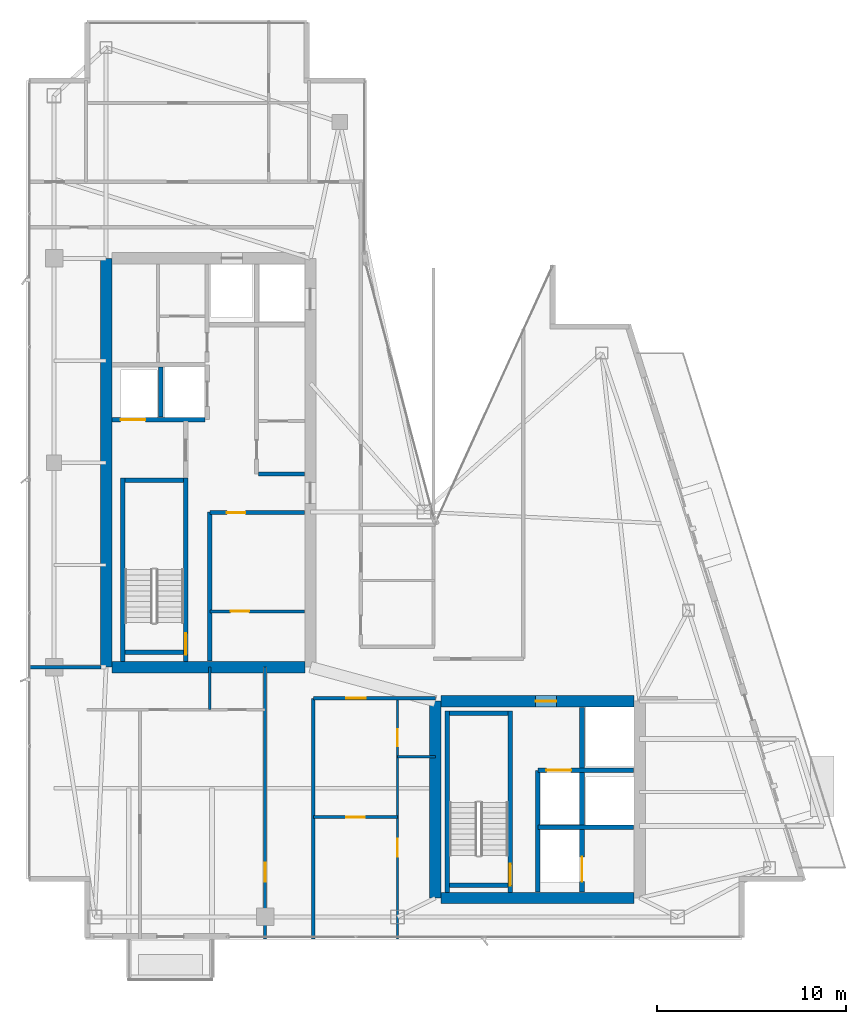
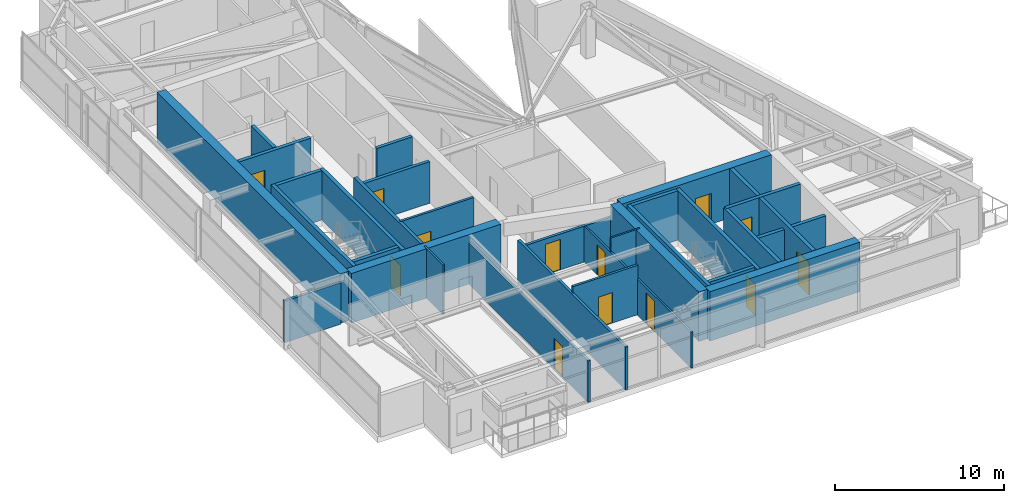
# One storey, part 22 of 27: 31 walls, 13 doors, 13 openings.
"""IFC4 building model written with IfcOpenShell, lengths in metres."""

from ifc_helpers import new_model, si_unit, direction, frame, frame_2d, origin, place, context, subcontext, project, spatial, rectangle, extrude, material, layer, layer_set, type_object, element, fill, save


model = new_model("IFC4")

# Units and contexts
model_context = context("Model", 3, precision=1e-05, world=origin(), true_north=direction((0.0, 1.0)))
body_context = subcontext(model_context, "Body", "Model", "MODEL_VIEW")
ifc_project = project(units=[si_unit("LENGTHUNIT", "METRE"), si_unit("AREAUNIT", "SQUARE_METRE"), si_unit("VOLUMEUNIT", "CUBIC_METRE"), si_unit("PLANEANGLEUNIT", "RADIAN"), si_unit("MASSUNIT", "GRAM", prefix="KILO")], contexts=[model_context])

# Site, building, storey
site_placement = place(None, origin())
site = spatial("IfcSite", under=ifc_project, at=site_placement, CompositionType="ELEMENT")
building_placement = place(site_placement, origin())
building = spatial("IfcBuilding", under=site, at=building_placement, Name="Calvorn Quay Hotel", CompositionType="ELEMENT")
storey_placement = place(building_placement, frame((0.0, 0.0, 287.300048828125)))
storey = spatial("IfcBuildingStorey", under=building, at=storey_placement, Name="L71", CompositionType="ELEMENT", Elevation=287.300048828125)

# Walls
ifc_material_1 = material(Name="Concrete C45", Category="concrete")
ifc_layer_1 = layer(ifc_material_1, 0.60009765625)
ifc_layer_set_1 = layer_set([ifc_layer_1], Name="WL-CORE-600")
wall_type_1 = type_object("IfcWallType", Name="WL-CORE-600", PredefinedType="SHEAR", material=ifc_layer_set_1)
wall_1_placement = place(storey_placement, frame((4.199951171875, 16.800048828125, 0.0), z_axis=(0.0, 0.0, 1.0), x_axis=(0.0, 1.0, 0.0)))
element("IfcWall", 1, at=wall_1_placement, inside=storey, type_object=wall_type_1, Name="West Core Shear Wall W (L71)", PredefinedType="SHEAR", context=body_context, shape_type="SweptSolid", body=[
    extrude(rectangle(XDim=21.599853515625, YDim=0.60009765625, at=frame_2d((10.7998046875, 0.0))), origin(), (0.0, 0.0, 1.0), 3.56005859375),
])
wall_2_placement = place(storey_placement, frame((4.5, 16.800048828125, 0.0), z_axis=(0.0, 0.0, 1.0), x_axis=(1.0, 0.0, 0.0)))
element("IfcWall", 2, at=wall_2_placement, inside=storey, type_object=wall_type_1, Name="West Core Shear Wall S (L71)", PredefinedType="SHEAR", context=body_context, shape_type="SweptSolid", body=[
    extrude(rectangle(XDim=10.199951171875, YDim=0.60009765625, at=frame_2d((5.10009765625, 0.0))), origin(), (0.0, 0.0, 1.0), 3.56005859375),
])
wall_3_placement = place(storey_placement, frame((21.60009765625, 4.60009765625, 0.0), z_axis=(0.0, 0.0, 1.0), x_axis=(0.0, 1.0, 0.0)))
element("IfcWall", 3, at=wall_3_placement, inside=storey, type_object=wall_type_1, Name="East Core Shear Wall W (L71)", PredefinedType="SHEAR", context=body_context, shape_type="SweptSolid", body=[
    extrude(rectangle(XDim=10.39990234375, YDim=0.60009765625, at=frame_2d((5.199951171875, 0.0))), origin(), (0.0, 0.0, 1.0), 3.56005859375),
])

# Wall, opening, door
wall_4_placement = place(storey_placement, frame((21.89990234375, 15.0, 0.0), z_axis=(0.0, 0.0, 1.0), x_axis=(1.0, 0.0, 0.0)))
wall_4 = element("IfcWall", 4, at=wall_4_placement, inside=storey, type_object=wall_type_1, Name="East Core Shear Wall N (L71)", PredefinedType="SHEAR", context=body_context, shape_type="SweptSolid", body=[
    extrude(rectangle(XDim=10.2001953125, YDim=0.60009765625, at=frame_2d((5.10009765625, 0.0))), origin(), (0.0, 0.0, 1.0), 3.56005859375),
])
opening_1_placement = place(wall_4_placement, frame((5.0, 0.0, 0.0)))
opening_1 = element("IfcOpeningElement", 5, at=opening_1_placement, cuts=wall_4, Name="Opening D-L71-FLE", PredefinedType="OPENING", context=body_context, shape_type="SweptSolid", body=[
    extrude(rectangle(XDim=1.10009765625, YDim=2.199951171875, at=frame_2d((0.550048828125, 1.10009765625))), frame((0.0, 0.31005859375, 0.0), z_axis=(0.0, -1.0, 0.0), x_axis=(1.0, 0.0, 0.0)), (0.0, 0.0, 1.0), 0.6201171875),
])
ifc_material_2 = material(Name="Smoke-Sealed Steel Class A Fire Door", Category="steel")
door_type_1 = type_object("IfcDoorType", Name="DR-FFLOBBY-1100", OperationType="NOTDEFINED", PredefinedType="DOOR", material=ifc_material_2)
door_1_placement = place(opening_1_placement, origin())
door_1 = element("IfcDoor", 6, at=door_1_placement, inside=storey, type_object=door_type_1, Name="East Firefighting Lobby Fire Door (L71)", OperationType="SINGLE_SWING_LEFT", OverallHeight=2.199951171875, OverallWidth=1.10009765625, PredefinedType="DOOR", context=body_context, shape_type="SweptSolid", body=[
    extrude(rectangle(XDim=1.10009765625, YDim=2.199951171875, at=frame_2d((0.550048828125, 1.10009765625))), frame((0.0, 0.02490234375, 0.0), z_axis=(0.0, -1.0, 0.0), x_axis=(1.0, 0.0, 0.0)), (0.0, 0.0, 1.0), 0.050048828125),
])
fill(opening_1, door_1)

# Walls
wall_5_placement = place(storey_placement, frame((21.89990234375, 4.60009765625, 0.0), z_axis=(0.0, 0.0, 1.0), x_axis=(1.0, 0.0, 0.0)))
element("IfcWall", 7, at=wall_5_placement, inside=storey, type_object=wall_type_1, Name="East Core Shear Wall S (L71)", PredefinedType="SHEAR", context=body_context, shape_type="SweptSolid", body=[
    extrude(rectangle(XDim=10.2001953125, YDim=0.60009765625, at=frame_2d((5.10009765625, 0.0))), origin(), (0.0, 0.0, 1.0), 3.56005859375),
])
ifc_material_3 = material(Name="Acoustic Fireboard Steel-Stud Partition", Category="steel")
ifc_layer_2 = layer(ifc_material_3, 0.179931640625)
ifc_layer_set_2 = layer_set([ifc_layer_2], Name="WL-CORR-FIRE-180")
wall_type_2 = type_object("IfcWallType", Name="WL-CORR-FIRE-180", PredefinedType="PARTITIONING", material=ifc_layer_set_2)
wall_6_placement = place(storey_placement, frame((0.080078125, 16.800048828125, 0.0), z_axis=(0.0, 0.0, 1.0), x_axis=(1.0, 0.0, 0.0)))
element("IfcWall", 8, at=wall_6_placement, inside=storey, type_object=wall_type_2, Name="Partition Wall L71-WL-WBAY-S-WALL", PredefinedType="PARTITIONING", context=body_context, shape_type="SweptSolid", body=[
    extrude(rectangle(XDim=3.849853515625, YDim=0.179931640625, at=frame_2d((1.9248046875, 0.0))), origin(), (0.0, 0.0, 1.0), 2.989990234375),
])

# Wall, opening, door
wall_7_placement = place(storey_placement, frame((12.60009765625, 2.43994140625, 0.0), z_axis=(0.0, 0.0, 1.0), x_axis=(0.0, 1.0, 0.0)))
wall_7 = element("IfcWall", 9, at=wall_7_placement, inside=storey, type_object=wall_type_2, Name="Partition Wall L71-WL-CORR-SW-LEG-W", PredefinedType="PARTITIONING", context=body_context, shape_type="SweptSolid", body=[
    extrude(rectangle(XDim=14.360107421875, YDim=0.179931640625, at=frame_2d((7.18017578125, 0.0))), origin(), (0.0, 0.0, 1.0), 2.989990234375),
])
opening_2_placement = place(wall_7_placement, frame((3.010009765625, 0.0, 0.0)))
opening_2 = element("IfcOpeningElement", 10, at=opening_2_placement, cuts=wall_7, Name="Opening D-L71-U01", PredefinedType="OPENING", context=body_context, shape_type="SweptSolid", body=[
    extrude(rectangle(XDim=1.02001953125, YDim=2.199951171875, at=frame_2d((0.510009765625, 1.10009765625))), frame((0.0, 0.099853515625, 0.0), z_axis=(0.0, -1.0, 0.0), x_axis=(1.0, 0.0, 0.0)), (0.0, 0.0, 1.0), 0.199951171875),
])
ifc_material_4 = material(Name="Solid-Core Walnut Veneer Hotel Fire Door")
door_type_2 = type_object("IfcDoorType", Name="DR-GUEST-ENTRY-1020", OperationType="NOTDEFINED", PredefinedType="DOOR", material=ifc_material_4)
door_2_placement = place(opening_2_placement, origin())
door_2 = element("IfcDoor", 11, at=door_2_placement, inside=storey, type_object=door_type_2, Name="South-West Unit Door U01 (L71)", OperationType="SINGLE_SWING_LEFT", OverallHeight=2.199951171875, OverallWidth=1.02001953125, PredefinedType="DOOR", context=body_context, shape_type="SweptSolid", body=[
    extrude(rectangle(XDim=1.02001953125, YDim=2.199951171875, at=frame_2d((0.510009765625, 1.10009765625))), frame((0.0, 0.02490234375, 0.0), z_axis=(0.0, -1.0, 0.0), x_axis=(1.0, 0.0, 0.0)), (0.0, 0.0, 1.0), 0.050048828125),
])
fill(opening_2, door_2)

# Wall
wall_8_placement = place(storey_placement, frame((15.14990234375, 2.43994140625, 0.0), z_axis=(0.0, 0.0, 1.0), x_axis=(0.0, 1.0, 0.0)))
element("IfcWall", 12, at=wall_8_placement, inside=storey, type_object=wall_type_2, Name="Partition Wall L71-WL-CORR-SW-W", PredefinedType="PARTITIONING", context=body_context, shape_type="SweptSolid", body=[
    extrude(rectangle(XDim=12.7099609375, YDim=0.179931640625, at=frame_2d((6.35498046875, 0.0))), origin(), (0.0, 0.0, 1.0), 3.08984375),
])

# Wall, opening, door
wall_9_placement = place(storey_placement, frame((15.14990234375, 15.14990234375, 0.0), z_axis=(0.0, 0.0, 1.0), x_axis=(1.0, 0.0, 0.0)))
wall_9 = element("IfcWall", 13, at=wall_9_placement, inside=storey, type_object=wall_type_2, Name="Partition Wall L71-WL-SC-CORR-S", PredefinedType="PARTITIONING", context=body_context, shape_type="SweptSolid", body=[
    extrude(rectangle(XDim=6.4501953125, YDim=0.179931640625, at=frame_2d((3.22509765625, 0.0))), origin(), (0.0, 0.0, 1.0), 2.58984375),
])
opening_3_placement = place(wall_9_placement, frame((1.739990234375, 0.0, 0.0)))
opening_3 = element("IfcOpeningElement", 14, at=opening_3_placement, cuts=wall_9, Name="Opening D-L71-U02", PredefinedType="OPENING", context=body_context, shape_type="SweptSolid", body=[
    extrude(rectangle(XDim=1.02001953125, YDim=2.199951171875, at=frame_2d((0.510009765625, 1.10009765625))), frame((0.0, 0.099853515625, 0.0), z_axis=(0.0, -1.0, 0.0), x_axis=(1.0, 0.0, 0.0)), (0.0, 0.0, 1.0), 0.199951171875),
])
door_3_placement = place(opening_3_placement, origin())
door_3 = element("IfcDoor", 15, at=door_3_placement, inside=storey, type_object=door_type_2, Name="Harbour Central Unit Door (L71)", OperationType="SINGLE_SWING_LEFT", OverallHeight=2.199951171875, OverallWidth=1.02001953125, PredefinedType="DOOR", context=body_context, shape_type="SweptSolid", body=[
    extrude(rectangle(XDim=1.02001953125, YDim=2.199951171875, at=frame_2d((0.510009765625, 1.10009765625))), frame((0.0, 0.02490234375, 0.0), z_axis=(0.0, -1.0, 0.0), x_axis=(1.0, 0.0, 0.0)), (0.0, 0.0, 1.0), 0.050048828125),
])
fill(opening_3, door_3)

# Walls
ifc_material_5 = material(Name="Moisture-Resistant Tile-Backed Partition")
ifc_layer_3 = layer(ifc_material_5, 0.125)
ifc_layer_set_3 = layer_set([ifc_layer_3], Name="WL-ENSUITE-125")
wall_type_3 = type_object("IfcWallType", Name="WL-ENSUITE-125", PredefinedType="PARTITIONING", material=ifc_layer_set_3)
wall_10_placement = place(storey_placement, frame((9.679931640625, 14.550048828125, 0.0), z_axis=(0.0, 0.0, 1.0), x_axis=(0.0, 1.0, 0.0)))
element("IfcWall", 16, at=wall_10_placement, inside=storey, type_object=wall_type_3, Name="Partition Wall L71-WL-U01-BDV", PredefinedType="PARTITIONING", context=body_context, shape_type="SweptSolid", body=[
    extrude(rectangle(XDim=2.25, YDim=0.125, at=frame_2d((1.125, 0.0))), origin(), (0.0, 0.0, 1.0), 3.56005859375),
])
wall_11_placement = place(storey_placement, frame((19.60009765625, 12.070068359375, 0.0), z_axis=(0.0, 0.0, 1.0), x_axis=(1.0, 0.0, 0.0)))
element("IfcWall", 17, at=wall_11_placement, inside=storey, type_object=wall_type_3, Name="Partition Wall L71-WL-U02-BDV", PredefinedType="PARTITIONING", context=body_context, shape_type="SweptSolid", body=[
    extrude(rectangle(XDim=2.0, YDim=0.125, at=frame_2d((1.0, 0.0))), origin(), (0.0, 0.0, 1.0), 3.56005859375),
])

# Wall, openings, doors
wall_12_placement = place(storey_placement, frame((19.60009765625, 2.43994140625, 0.0), z_axis=(0.0, 0.0, 1.0), x_axis=(0.0, 1.0, 0.0)))
wall_12 = element("IfcWall", 18, at=wall_12_placement, inside=storey, type_object=wall_type_3, Name="Partition Wall L71-WL-U02-BV", PredefinedType="PARTITIONING", context=body_context, shape_type="SweptSolid", body=[
    extrude(rectangle(XDim=12.7099609375, YDim=0.125, at=frame_2d((6.35498046875, 0.0))), origin(), (0.0, 0.0, 1.0), 2.58984375),
])
opening_4_placement = place(wall_12_placement, frame((4.340087890625, 0.0, 0.0)))
opening_4 = element("IfcOpeningElement", 19, at=opening_4_placement, cuts=wall_12, Name="Opening D-L71-S02", PredefinedType="OPENING", context=body_context, shape_type="SweptSolid", body=[
    extrude(rectangle(XDim=0.9599609375, YDim=2.199951171875, at=frame_2d((0.47998046875, 1.10009765625))), frame((0.0, 0.072509765625, 0.0), z_axis=(0.0, -1.0, 0.0), x_axis=(1.0, 0.0, 0.0)), (0.0, 0.0, 1.0), 0.14501953125),
])
opening_5_placement = place(wall_12_placement, frame((10.179931640625, 0.0, 0.0)))
opening_5 = element("IfcOpeningElement", 20, at=opening_5_placement, cuts=wall_12, Name="Opening D-L71-E02", PredefinedType="OPENING", context=body_context, shape_type="SweptSolid", body=[
    extrude(rectangle(XDim=0.89990234375, YDim=2.14990234375, at=frame_2d((0.449951171875, 1.074951171875))), frame((0.0, 0.072509765625, 0.0), z_axis=(0.0, -1.0, 0.0), x_axis=(1.0, 0.0, 0.0)), (0.0, 0.0, 1.0), 0.14501953125),
])
ifc_material_6 = material(Name="Moisture-Sealed Timber En-Suite Door", Category="wood")
door_type_3 = type_object("IfcDoorType", Name="DR-ENSUITE-900", OperationType="NOTDEFINED", PredefinedType="DOOR", material=ifc_material_6)
door_4_placement = place(opening_5_placement, origin())
door_4 = element("IfcDoor", 21, at=door_4_placement, inside=storey, type_object=door_type_3, Name="En-Suite Door 02", OperationType="SINGLE_SWING_RIGHT", OverallHeight=2.14990234375, OverallWidth=0.89990234375, PredefinedType="DOOR", context=body_context, shape_type="SweptSolid", body=[
    extrude(rectangle(XDim=0.89990234375, YDim=2.14990234375, at=frame_2d((0.449951171875, 1.074951171875))), frame((0.0, 0.02490234375, 0.0), z_axis=(0.0, -1.0, 0.0), x_axis=(1.0, 0.0, 0.0)), (0.0, 0.0, 1.0), 0.050048828125),
])
fill(opening_5, door_4)
ifc_material_7 = material(Name="Solid Timber Internal Suite Door", Category="wood")
door_type_4 = type_object("IfcDoorType", Name="DR-SUITE-INT-960", OperationType="NOTDEFINED", PredefinedType="DOOR", material=ifc_material_7)
door_5_placement = place(opening_4_placement, origin())
door_5 = element("IfcDoor", 22, at=door_5_placement, inside=storey, type_object=door_type_4, Name="Walk-In Wardrobe Door 02", OperationType="SINGLE_SWING_LEFT", OverallHeight=2.199951171875, OverallWidth=0.9599609375, PredefinedType="DOOR", context=body_context, shape_type="SweptSolid", body=[
    extrude(rectangle(XDim=0.9599609375, YDim=2.199951171875, at=frame_2d((0.47998046875, 1.10009765625))), frame((0.0, 0.02490234375, 0.0), z_axis=(0.0, -1.0, 0.0), x_axis=(1.0, 0.0, 0.0)), (0.0, 0.0, 1.0), 0.050048828125),
])
fill(opening_4, door_5)

# Wall, opening, door
ifc_material_8 = material(Name="Double-Stud Acoustic Gypsum Partition")
ifc_layer_4 = layer(ifc_material_8, 0.159912109375)
ifc_layer_set_4 = layer_set([ifc_layer_4], Name="WL-INTERSUITE-160")
wall_type_4 = type_object("IfcWallType", Name="WL-INTERSUITE-160", PredefinedType="PARTITIONING", material=ifc_layer_set_4)
wall_13_placement = place(storey_placement, frame((9.679931640625, 19.75, 0.0), z_axis=(0.0, 0.0, 1.0), x_axis=(1.0, 0.0, 0.0)))
wall_13 = element("IfcWall", 23, at=wall_13_placement, inside=storey, type_object=wall_type_4, Name="Partition Wall L71-WL-CWW-FR-SPLIT", PredefinedType="PARTITIONING", context=body_context, shape_type="SweptSolid", body=[
    extrude(rectangle(XDim=5.0, YDim=0.159912109375, at=frame_2d((2.5, 0.0))), origin(), (0.0, 0.0, 1.0), 3.56005859375),
])
opening_6_placement = place(wall_13_placement, frame((1.10009765625, 0.0, 0.0)))
opening_6 = element("IfcOpeningElement", 24, at=opening_6_placement, cuts=wall_13, Name="Opening D-L71-FRL1", PredefinedType="OPENING", context=body_context, shape_type="SweptSolid", body=[
    extrude(rectangle(XDim=0.97998046875, YDim=2.14990234375, at=frame_2d((0.489990234375, 1.074951171875))), frame((0.0, 0.08984375, 0.0), z_axis=(0.0, -1.0, 0.0), x_axis=(1.0, 0.0, 0.0)), (0.0, 0.0, 1.0), 0.179931640625),
])
ifc_material_9 = material(Name="Painted Steel Housekeeping/Riser Fire Door", Category="steel")
door_type_5 = type_object("IfcDoorType", Name="DR-SERVICE-980", OperationType="NOTDEFINED", PredefinedType="DOOR", material=ifc_material_9)
door_6_placement = place(opening_6_placement, origin())
door_6 = element("IfcDoor", 25, at=door_6_placement, inside=storey, type_object=door_type_5, Name="Linen Store Room Door (L71)", OperationType="SINGLE_SWING_LEFT", OverallHeight=2.14990234375, OverallWidth=0.97998046875, PredefinedType="DOOR", context=body_context, shape_type="SweptSolid", body=[
    extrude(rectangle(XDim=0.97998046875, YDim=2.14990234375, at=frame_2d((0.489990234375, 1.074951171875))), frame((0.0, 0.02490234375, 0.0), z_axis=(0.0, -1.0, 0.0), x_axis=(1.0, 0.0, 0.0)), (0.0, 0.0, 1.0), 0.050048828125),
])
fill(opening_6, door_6)

wall_14_placement = place(storey_placement, frame((15.14990234375, 8.8701171875, 0.0), z_axis=(0.0, 0.0, 1.0), x_axis=(1.0, 0.0, 0.0)))
wall_14 = element("IfcWall", 26, at=wall_14_placement, inside=storey, type_object=wall_type_4, Name="Partition Wall L71-WL-U02-MSP", PredefinedType="PARTITIONING", context=body_context, shape_type="SweptSolid", body=[
    extrude(rectangle(XDim=4.4501953125, YDim=0.159912109375, at=frame_2d((2.22509765625, 0.0))), origin(), (0.0, 0.0, 1.0), 3.56005859375),
])
opening_7_placement = place(wall_14_placement, frame((1.75, 0.0, 0.0)))
opening_7 = element("IfcOpeningElement", 27, at=opening_7_placement, cuts=wall_14, Name="Opening D-L71-M02", PredefinedType="OPENING", context=body_context, shape_type="SweptSolid", body=[
    extrude(rectangle(XDim=0.9599609375, YDim=2.199951171875, at=frame_2d((0.47998046875, 1.10009765625))), frame((0.0, 0.08984375, 0.0), z_axis=(0.0, -1.0, 0.0), x_axis=(1.0, 0.0, 0.0)), (0.0, 0.0, 1.0), 0.179931640625),
])
door_7_placement = place(opening_7_placement, origin())
door_7 = element("IfcDoor", 28, at=door_7_placement, inside=storey, type_object=door_type_4, Name="Suite Bedroom Door 02", OperationType="SINGLE_SWING_LEFT", OverallHeight=2.199951171875, OverallWidth=0.9599609375, PredefinedType="DOOR", context=body_context, shape_type="SweptSolid", body=[
    extrude(rectangle(XDim=0.9599609375, YDim=2.199951171875, at=frame_2d((0.47998046875, 1.10009765625))), frame((0.0, 0.02490234375, 0.0), z_axis=(0.0, -1.0, 0.0), x_axis=(1.0, 0.0, 0.0)), (0.0, 0.0, 1.0), 0.050048828125),
])
fill(opening_7, door_7)

# Wall
ifc_material_10 = material(Name="Autoclaved Aerated Masonry Block", Category="masonry")
ifc_layer_5 = layer(ifc_material_10, 0.219970703125)
ifc_layer_set_5 = layer_set([ifc_layer_5], Name="WL-LOBBY-FIRE-220")
wall_type_5 = type_object("IfcWallType", Name="WL-LOBBY-FIRE-220", PredefinedType="SOLIDWALL", material=ifc_layer_set_5)
wall_15_placement = place(storey_placement, frame((9.679931640625, 17.1201171875, 0.0), z_axis=(0.0, 0.0, 1.0), x_axis=(0.0, 1.0, 0.0)))
element("IfcWall", 29, at=wall_15_placement, inside=storey, type_object=wall_type_5, Name="Partition Wall L71-WL-CWW-STW-HALL-E", PredefinedType="SOLIDWALL", context=body_context, shape_type="SweptSolid", body=[
    extrude(rectangle(XDim=7.8798828125, YDim=0.219970703125, at=frame_2d((3.93994140625, 0.0))), origin(), (0.0, 0.0, 1.0), 3.56005859375),
])

# Wall, opening, door
wall_16_placement = place(storey_placement, frame((9.679931640625, 24.969970703125, 0.0), z_axis=(0.0, 0.0, 1.0), x_axis=(1.0, 0.0, 0.0)))
wall_16 = element("IfcWall", 30, at=wall_16_placement, inside=storey, type_object=wall_type_5, Name="Partition Wall L71-WL-CWW-FR-N", PredefinedType="SOLIDWALL", context=body_context, shape_type="SweptSolid", body=[
    extrude(rectangle(XDim=5.0, YDim=0.219970703125, at=frame_2d((2.5, 0.0))), origin(), (0.0, 0.0, 1.0), 2.989990234375),
])
opening_8_placement = place(wall_16_placement, frame((0.89990234375, 0.0, 0.0)))
opening_8 = element("IfcOpeningElement", 31, at=opening_8_placement, cuts=wall_16, Name="Opening D-L71-FRL2", PredefinedType="OPENING", context=body_context, shape_type="SweptSolid", body=[
    extrude(rectangle(XDim=0.97998046875, YDim=2.14990234375, at=frame_2d((0.489990234375, 1.074951171875))), frame((0.0, 0.119873046875, 0.0), z_axis=(0.0, -1.0, 0.0), x_axis=(1.0, 0.0, 0.0)), (0.0, 0.0, 1.0), 0.239990234375),
])
door_8_placement = place(opening_8_placement, origin())
door_8 = element("IfcDoor", 32, at=door_8_placement, inside=storey, type_object=door_type_5, Name="Beverage Pantry Door (L71)", OperationType="SINGLE_SWING_RIGHT", OverallHeight=2.14990234375, OverallWidth=0.97998046875, PredefinedType="DOOR", context=body_context, shape_type="SweptSolid", body=[
    extrude(rectangle(XDim=0.97998046875, YDim=2.14990234375, at=frame_2d((0.489990234375, 1.074951171875))), frame((0.0, 0.02490234375, 0.0), z_axis=(0.0, -1.0, 0.0), x_axis=(1.0, 0.0, 0.0)), (0.0, 0.0, 1.0), 0.050048828125),
])
fill(opening_8, door_8)

# Walls
wall_17_placement = place(storey_placement, frame((12.25, 27.0, 0.0), z_axis=(0.0, 0.0, 1.0), x_axis=(1.0, 0.0, 0.0)))
element("IfcWall", 33, at=wall_17_placement, inside=storey, type_object=wall_type_5, Name="Partition Wall L71-WL-CWW-FM-S", PredefinedType="SOLIDWALL", context=body_context, shape_type="SweptSolid", body=[
    extrude(rectangle(XDim=2.429931640625, YDim=0.219970703125, at=frame_2d((1.21484375, 0.0))), origin(), (0.0, 0.0, 1.0), 3.56005859375),
])
ifc_material_11 = material(Name="Concrete C40", Category="concrete")
ifc_layer_6 = layer(ifc_material_11, 0.239990234375)
ifc_layer_set_6 = layer_set([ifc_layer_6], Name="WL-SHAFT-240")
wall_type_6 = type_object("IfcWallType", Name="WL-SHAFT-240", PredefinedType="SOLIDWALL", material=ifc_layer_set_6)
wall_18_placement = place(storey_placement, frame((5.080078125, 17.10009765625, 0.0), z_axis=(0.0, 0.0, 1.0), x_axis=(0.0, 1.0, 0.0)))
element("IfcWall", 34, at=wall_18_placement, inside=storey, type_object=wall_type_6, Name="Stair STW Shaft Wall W (L71)", PredefinedType="SOLIDWALL", context=body_context, shape_type="SweptSolid", body=[
    extrude(rectangle(XDim=9.68994140625, YDim=0.239990234375, at=frame_2d((4.844970703125, 0.0))), origin(), (0.0, 0.0, 1.0), 3.56005859375),
])

# Wall, opening, door
wall_19_placement = place(storey_placement, frame((8.419921875, 17.10009765625, 0.0), z_axis=(0.0, 0.0, 1.0), x_axis=(0.0, 1.0, 0.0)))
wall_19 = element("IfcWall", 35, at=wall_19_placement, inside=storey, type_object=wall_type_6, Name="Stair STW Shaft Wall E (L71)", PredefinedType="SOLIDWALL", context=body_context, shape_type="SweptSolid", body=[
    extrude(rectangle(XDim=9.68994140625, YDim=0.239990234375, at=frame_2d((4.844970703125, 0.0))), origin(), (0.0, 0.0, 1.0), 3.56005859375),
])
opening_9_placement = place(wall_19_placement, frame((0.35009765625, 0.0, 0.0)))
opening_9 = element("IfcOpeningElement", 36, at=opening_9_placement, cuts=wall_19, Name="Opening D-L71-STW", PredefinedType="OPENING", context=body_context, shape_type="SweptSolid", body=[
    extrude(rectangle(XDim=1.14990234375, YDim=2.199951171875, at=frame_2d((0.574951171875, 1.10009765625))), frame((0.0, 0.1298828125, 0.0), z_axis=(0.0, -1.0, 0.0), x_axis=(1.0, 0.0, 0.0)), (0.0, 0.0, 1.0), 0.260009765625),
])
ifc_material_12 = material(Name="Galvanised Steel Class A Fire Door", Category="steel")
door_type_6 = type_object("IfcDoorType", Name="DR-STAIR-SMOKE-1150", OperationType="NOTDEFINED", PredefinedType="DOOR", material=ifc_material_12)
door_9_placement = place(opening_9_placement, origin())
door_9 = element("IfcDoor", 37, at=door_9_placement, inside=storey, type_object=door_type_6, Name="Stair ST-W Fire Door (L71)", OperationType="SINGLE_SWING_LEFT", OverallHeight=2.199951171875, OverallWidth=1.14990234375, PredefinedType="DOOR", context=body_context, shape_type="SweptSolid", body=[
    extrude(rectangle(XDim=1.14990234375, YDim=2.199951171875, at=frame_2d((0.574951171875, 1.10009765625))), frame((0.0, 0.02490234375, 0.0), z_axis=(0.0, -1.0, 0.0), x_axis=(1.0, 0.0, 0.0)), (0.0, 0.0, 1.0), 0.050048828125),
])
fill(opening_9, door_9)

# Walls
for number, where, z_axis, x_axis, name in (
    (38, (5.199951171875, 17.580078125, 0.0), (0.0, 0.0, 1.0), (1.0, 0.0, 0.0), "Stair STW Shaft Wall S (L71)"),
    (39, (5.199951171875, 26.669921875, 0.0), (0.0, 0.0, 1.0), (1.0, 0.0, 0.0), "Stair STW Shaft Wall N (L71)"),
):
    element("IfcWall", number, at=place(storey_placement, frame(where, z_axis=z_axis, x_axis=x_axis)), inside=storey, type_object=wall_type_6, Name=name, PredefinedType="SOLIDWALL", context=body_context, shape_type="SweptSolid", body=[
        extrude(rectangle(XDim=3.10009765625, YDim=0.239990234375, at=frame_2d((1.550048828125, 0.0))), origin(), (0.0, 0.0, 1.0), 3.56005859375),
    ])
wall_20_placement = place(storey_placement, frame((22.22998046875, 4.89990234375, 0.0), z_axis=(0.0, 0.0, 1.0), x_axis=(0.0, 1.0, 0.0)))
element("IfcWall", 40, at=wall_20_placement, inside=storey, type_object=wall_type_6, Name="Stair STE Shaft Wall W (L71)", PredefinedType="SOLIDWALL", context=body_context, shape_type="SweptSolid", body=[
    extrude(rectangle(XDim=9.590087890625, YDim=0.239990234375, at=frame_2d((4.794921875, 0.0))), origin(), (0.0, 0.0, 1.0), 3.56005859375),
])

# Wall, opening, door
wall_21_placement = place(storey_placement, frame((25.570068359375, 4.89990234375, 0.0), z_axis=(0.0, 0.0, 1.0), x_axis=(0.0, 1.0, 0.0)))
wall_21 = element("IfcWall", 41, at=wall_21_placement, inside=storey, type_object=wall_type_6, Name="Stair STE Shaft Wall E (L71)", PredefinedType="SOLIDWALL", context=body_context, shape_type="SweptSolid", body=[
    extrude(rectangle(XDim=9.590087890625, YDim=0.239990234375, at=frame_2d((4.794921875, 0.0))), origin(), (0.0, 0.0, 1.0), 3.56005859375),
])
opening_10_placement = place(wall_21_placement, frame((0.35009765625, 0.0, 0.0)))
opening_10 = element("IfcOpeningElement", 42, at=opening_10_placement, cuts=wall_21, Name="Opening D-L71-STE", PredefinedType="OPENING", context=body_context, shape_type="SweptSolid", body=[
    extrude(rectangle(XDim=1.14990234375, YDim=2.199951171875, at=frame_2d((0.574951171875, 1.10009765625))), frame((0.0, 0.1298828125, 0.0), z_axis=(0.0, -1.0, 0.0), x_axis=(1.0, 0.0, 0.0)), (0.0, 0.0, 1.0), 0.260009765625),
])
door_10_placement = place(opening_10_placement, origin())
door_10 = element("IfcDoor", 43, at=door_10_placement, inside=storey, type_object=door_type_6, Name="Stair ST-E Fire Door (L71)", OperationType="SINGLE_SWING_RIGHT", OverallHeight=2.199951171875, OverallWidth=1.14990234375, PredefinedType="DOOR", context=body_context, shape_type="SweptSolid", body=[
    extrude(rectangle(XDim=1.14990234375, YDim=2.199951171875, at=frame_2d((0.574951171875, 1.10009765625))), frame((0.0, 0.02490234375, 0.0), z_axis=(0.0, -1.0, 0.0), x_axis=(1.0, 0.0, 0.0)), (0.0, 0.0, 1.0), 0.050048828125),
])
fill(opening_10, door_10)

# Walls
for number, where, z_axis, x_axis, name in (
    (44, (22.35009765625, 5.280029296875, 0.0), (0.0, 0.0, 1.0), (1.0, 0.0, 0.0), "Stair STE Shaft Wall S (L71)"),
    (45, (22.35009765625, 14.3701171875, 0.0), (0.0, 0.0, 1.0), (1.0, 0.0, 0.0), "Stair STE Shaft Wall N (L71)"),
):
    element("IfcWall", number, at=place(storey_placement, frame(where, z_axis=z_axis, x_axis=x_axis)), inside=storey, type_object=wall_type_6, Name=name, PredefinedType="SOLIDWALL", context=body_context, shape_type="SweptSolid", body=[
        extrude(rectangle(XDim=3.099853515625, YDim=0.239990234375, at=frame_2d((1.5498046875, 0.0))), origin(), (0.0, 0.0, 1.0), 3.56005859375),
    ])

# Wall, opening, door
wall_22_placement = place(storey_placement, frame((4.52001953125, 29.8798828125, 0.0), z_axis=(0.0, 0.0, 1.0), x_axis=(1.0, 0.0, 0.0)))
wall_22 = element("IfcWall", 46, at=wall_22_placement, inside=storey, type_object=wall_type_6, Name="Partition Wall L71-WL-CWW-FLW-S", PredefinedType="SOLIDWALL", context=body_context, shape_type="SweptSolid", body=[
    extrude(rectangle(XDim=4.89990234375, YDim=0.239990234375, at=frame_2d((2.449951171875, 0.0))), origin(), (0.0, 0.0, 1.0), 3.56005859375),
])
opening_11_placement = place(wall_22_placement, frame((0.449951171875, 0.0, 0.0)))
opening_11 = element("IfcOpeningElement", 47, at=opening_11_placement, cuts=wall_22, Name="Opening LD-L71-FLW1", PredefinedType="OPENING", context=body_context, shape_type="SweptSolid", body=[
    extrude(rectangle(XDim=1.300048828125, YDim=2.35009765625, at=frame_2d((0.64990234375, 1.175048828125))), frame((0.0, 0.1298828125, 0.0), z_axis=(0.0, -1.0, 0.0), x_axis=(1.0, 0.0, 0.0)), (0.0, 0.0, 1.0), 0.260009765625),
])
ifc_material_13 = material(Name="Champagne-Bronze Sliding Express Lift Landing Door")
door_type_7 = type_object("IfcDoorType", Name="DR-LIFT-SHUTTLE-1300", OperationType="NOTDEFINED", PredefinedType="DOOR", material=ifc_material_13)
door_11_placement = place(opening_11_placement, origin())
door_11 = element("IfcDoor", 48, at=door_11_placement, inside=storey, type_object=door_type_7, Name="Firefighting Lift FL-W1 Landing Door (L71)", OperationType="DOUBLE_DOOR_SLIDING", OverallHeight=2.35009765625, OverallWidth=1.300048828125, PredefinedType="DOOR", context=body_context, shape_type="SweptSolid", body=[
    extrude(rectangle(XDim=1.300048828125, YDim=2.35009765625, at=frame_2d((0.64990234375, 1.175048828125))), frame((0.0, 0.02490234375, 0.0), z_axis=(0.0, -1.0, 0.0), x_axis=(1.0, 0.0, 0.0)), (0.0, 0.0, 1.0), 0.050048828125),
])
fill(opening_11, door_11)

# Walls
wall_23_placement = place(storey_placement, frame((7.10009765625, 30.02001953125, 0.0), z_axis=(0.0, 0.0, 1.0), x_axis=(0.0, 1.0, 0.0)))
element("IfcWall", 49, at=wall_23_placement, inside=storey, type_object=wall_type_6, Name="Partition Wall L71-WL-CWW-FLW-DIV", PredefinedType="SOLIDWALL", context=body_context, shape_type="SweptSolid", body=[
    extrude(rectangle(XDim=2.6298828125, YDim=0.239990234375, at=frame_2d((1.31494140625, 0.0))), origin(), (0.0, 0.0, 1.0), 3.56005859375),
])
wall_24_placement = place(storey_placement, frame((27.02001953125, 4.919921875, 0.0), z_axis=(0.0, 0.0, 1.0), x_axis=(0.0, 1.0, 0.0)))
element("IfcWall", 50, at=wall_24_placement, inside=storey, type_object=wall_type_6, Name="Partition Wall L71-WL-CWE-SH-W", PredefinedType="SOLIDWALL", context=body_context, shape_type="SweptSolid", body=[
    extrude(rectangle(XDim=6.43017578125, YDim=0.239990234375, at=frame_2d((3.215087890625, 0.0))), origin(), (0.0, 0.0, 1.0), 3.56005859375),
])

# Wall, opening, door
wall_25_placement = place(storey_placement, frame((27.02001953125, 11.35009765625, 0.0), z_axis=(0.0, 0.0, 1.0), x_axis=(1.0, 0.0, 0.0)))
wall_25 = element("IfcWall", 51, at=wall_25_placement, inside=storey, type_object=wall_type_6, Name="Partition Wall L71-WL-CWE-FFL-S", PredefinedType="SOLIDWALL", context=body_context, shape_type="SweptSolid", body=[
    extrude(rectangle(XDim=5.06005859375, YDim=0.239990234375, at=frame_2d((2.530029296875, 0.0))), origin(), (0.0, 0.0, 1.0), 3.56005859375),
])
opening_12_placement = place(wall_25_placement, frame((0.449951171875, 0.0, 0.0)))
opening_12 = element("IfcOpeningElement", 52, at=opening_12_placement, cuts=wall_25, Name="Opening LD-L71-FLE1", PredefinedType="OPENING", context=body_context, shape_type="SweptSolid", body=[
    extrude(rectangle(XDim=1.300048828125, YDim=2.35009765625, at=frame_2d((0.64990234375, 1.175048828125))), frame((0.0, 0.1298828125, 0.0), z_axis=(0.0, -1.0, 0.0), x_axis=(1.0, 0.0, 0.0)), (0.0, 0.0, 1.0), 0.260009765625),
])
door_12_placement = place(opening_12_placement, origin())
door_12 = element("IfcDoor", 53, at=door_12_placement, inside=storey, type_object=door_type_7, Name="Firefighting Lift FL-E1 Landing Door (L71)", OperationType="DOUBLE_DOOR_SLIDING", OverallHeight=2.35009765625, OverallWidth=1.300048828125, PredefinedType="DOOR", context=body_context, shape_type="SweptSolid", body=[
    extrude(rectangle(XDim=1.300048828125, YDim=2.35009765625, at=frame_2d((0.64990234375, 1.175048828125))), frame((0.0, 0.02490234375, 0.0), z_axis=(0.0, -1.0, 0.0), x_axis=(1.0, 0.0, 0.0)), (0.0, 0.0, 1.0), 0.050048828125),
])
fill(opening_12, door_12)

# Wall
wall_26_placement = place(storey_placement, frame((27.02001953125, 8.35009765625, 0.0), z_axis=(0.0, 0.0, 1.0), x_axis=(1.0, 0.0, 0.0)))
element("IfcWall", 54, at=wall_26_placement, inside=storey, type_object=wall_type_6, Name="Partition Wall L71-WL-CWE-SL-N", PredefinedType="SOLIDWALL", context=body_context, shape_type="SweptSolid", body=[
    extrude(rectangle(XDim=5.06005859375, YDim=0.239990234375, at=frame_2d((2.530029296875, 0.0))), origin(), (0.0, 0.0, 1.0), 3.08984375),
])

# Wall, opening, door
wall_27_placement = place(storey_placement, frame((29.35009765625, 4.919921875, 0.0), z_axis=(0.0, 0.0, 1.0), x_axis=(0.0, 1.0, 0.0)))
wall_27 = element("IfcWall", 55, at=wall_27_placement, inside=storey, type_object=wall_type_6, Name="Partition Wall L71-WL-CWE-OB-W", PredefinedType="SOLIDWALL", context=body_context, shape_type="SweptSolid", body=[
    extrude(rectangle(XDim=9.760009765625, YDim=0.239990234375, at=frame_2d((4.8798828125, 0.0))), origin(), (0.0, 0.0, 1.0), 3.56005859375),
])
opening_13_placement = place(wall_27_placement, frame((0.550048828125, 0.0, 0.0)))
opening_13 = element("IfcOpeningElement", 56, at=opening_13_placement, cuts=wall_27, Name="Opening LD-L71-SLEI", PredefinedType="OPENING", context=body_context, shape_type="SweptSolid", body=[
    extrude(rectangle(XDim=1.300048828125, YDim=2.35009765625, at=frame_2d((0.64990234375, 1.175048828125))), frame((0.0, 0.1298828125, 0.0), z_axis=(0.0, -1.0, 0.0), x_axis=(1.0, 0.0, 0.0)), (0.0, 0.0, 1.0), 0.260009765625),
])
door_13_placement = place(opening_13_placement, origin())
door_13 = element("IfcDoor", 57, at=door_13_placement, inside=storey, type_object=door_type_7, Name="Service Lift SL-E1 Landing Door (L71)", OperationType="DOUBLE_DOOR_SLIDING", OverallHeight=2.35009765625, OverallWidth=1.300048828125, PredefinedType="DOOR", context=body_context, shape_type="SweptSolid", body=[
    extrude(rectangle(XDim=1.300048828125, YDim=2.35009765625, at=frame_2d((0.64990234375, 1.175048828125))), frame((0.0, 0.02490234375, 0.0), z_axis=(0.0, -1.0, 0.0), x_axis=(1.0, 0.0, 0.0)), (0.0, 0.0, 1.0), 0.050048828125),
])
fill(opening_13, door_13)

save(model, "model.ifc")
